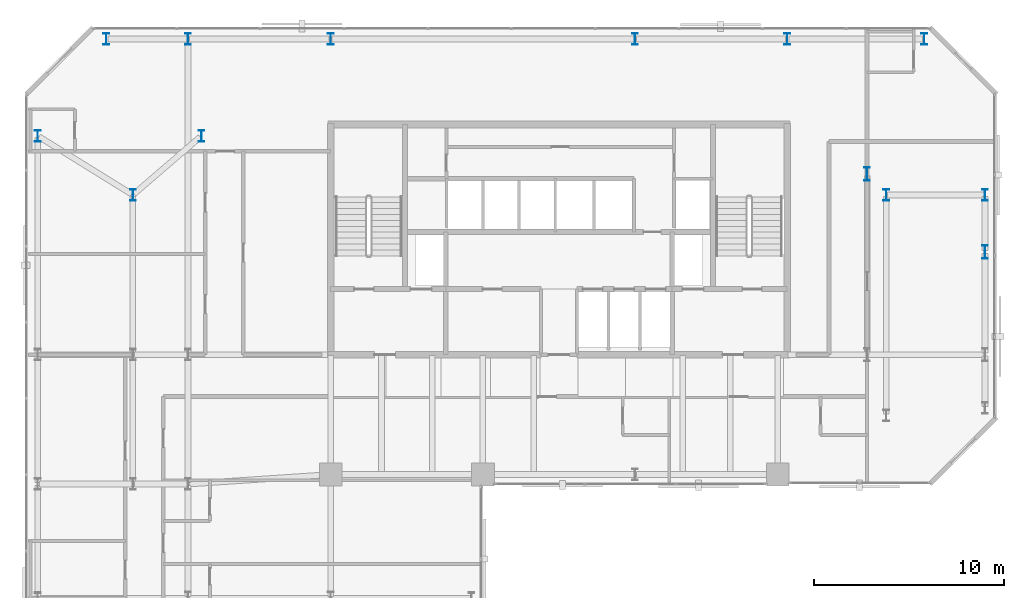
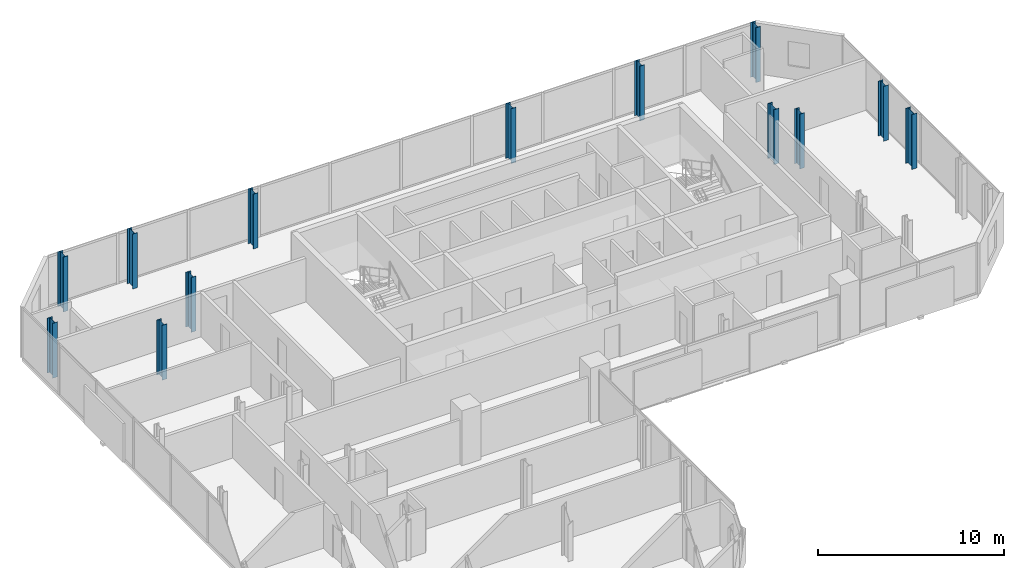
# One storey, part 2 of 32: 13 columns.
"""IFC4 building model written with IfcOpenShell, lengths in metres."""

from ifc_helpers import new_model, si_unit, direction, frame, origin, origin_2d, place, context, subcontext, project, spatial, i_section, extrude, material, material_profile, profile_set, type_object, element, save


model = new_model("IFC4")

# Units and contexts
model_context = context("Model", 3, precision=1e-05, world=origin(), true_north=direction((0.0, 1.0)))
body_context = subcontext(model_context, "Body", "Model", "MODEL_VIEW")
ifc_project = project(units=[si_unit("LENGTHUNIT", "METRE"), si_unit("AREAUNIT", "SQUARE_METRE"), si_unit("VOLUMEUNIT", "CUBIC_METRE"), si_unit("PLANEANGLEUNIT", "RADIAN"), si_unit("MASSUNIT", "GRAM", prefix="KILO")], contexts=[model_context])

# Site, building, storey
site_placement = place(None, origin())
site = spatial("IfcSite", under=ifc_project, at=site_placement, CompositionType="ELEMENT")
building_placement = place(site_placement, origin())
building = spatial("IfcBuilding", under=site, at=building_placement, Name="Catumbela Crestline Tower", CompositionType="ELEMENT")
storey_placement = place(building_placement, frame((0.0, 0.0, 126.0)))
storey = spatial("IfcBuildingStorey", under=building, at=storey_placement, Name="L32", CompositionType="ELEMENT", Elevation=126.0)

# Columns
ifc_material = material(Name="Structural steel S460M", Category="steel")
ifc_material_profile_1 = material_profile(ifc_material, i_section(OverallWidth=0.3, OverallDepth=0.6, WebThickness=0.0155, FlangeThickness=0.03, FilletRadius=0.027, at=origin_2d()), Name="HEB 600")
ifc_profile_set_1 = profile_set([ifc_material_profile_1], Name="Structural steel S460M")
column_type_1 = type_object("IfcColumnType", Name="C-ST-HEB600", PredefinedType="COLUMN", material=ifc_profile_set_1)
for number, where, z_axis, x_axis, name in (
    (1, (5.6, 39.2, 0.0), (0.0, 0.0, 1.0), (1.0, 0.0, 0.0), "L32 Column C-05-43 (HEB 600)"),
    (2, (9.2, 42.3, 0.0), (0.0, 0.0, 1.0), (1.0, 0.0, 0.0), "L32 Column C-08-43 (HEB 600)"),
    (3, (45.2, 39.2, 0.0), (0.0, 0.0, 1.0), (1.0, 0.0, 0.0), "L32 Column C-46-43 (HEB 600)"),
    (4, (0.6, 42.3, 0.0), (0.0, 0.0, 1.0), (1.0, 0.0, 0.0), "L32 Column C-00-43 (HEB 600)"),
    (5, (4.2, 47.4, 0.0), (0.0, 0.0, 1.0), (1.0, 0.0, 0.0), "L32 Column C-00-48 (HEB 600)"),
    (6, (8.5, 47.4, 0.0), (0.0, 0.0, 1.0), (1.0, 0.0, 0.0), "L32 Column C-08-48 (HEB 600)"),
    (7, (16.0, 47.4, 0.0), (0.0, 0.0, 1.0), (1.0, 0.0, 0.0), "L32 Column C-16-48 (HEB 600)"),
    (8, (32.0, 47.4, 0.0), (0.0, 0.0, 1.0), (1.0, 0.0, 0.0), "L32 Column C-32-48 (HEB 600)"),
    (9, (40.0, 47.4, 0.0), (0.0, 0.0, 1.0), (1.0, 0.0, 0.0), "L32 Column C-40-48 (HEB 600)"),
    (10, (47.2, 47.4, 0.0), (0.0, 0.0, 1.0), (1.0, 0.0, 0.0), "L32 Column C-48-48 (HEB 600)"),
    (11, (50.4, 39.2, 0.0), (0.0, 0.0, 1.0), (1.0, 0.0, 0.0), "L32 Column C-51-43 (HEB 600)"),
):
    element("IfcColumn", number, at=place(storey_placement, frame(where, z_axis=z_axis, x_axis=x_axis)), inside=storey, type_object=column_type_1, Name=name, PredefinedType="COLUMN", context=body_context, shape_type="SweptSolid", body=[
        extrude(i_section(OverallWidth=0.3, OverallDepth=0.6, WebThickness=0.0155, FlangeThickness=0.03, FilletRadius=0.027, at=origin_2d()), origin(), (0.0, 0.0, 1.0), 3.6),
    ])
ifc_material_profile_2 = material_profile(ifc_material, i_section(OverallWidth=0.3, OverallDepth=0.7, WebThickness=0.017, FlangeThickness=0.032, FilletRadius=0.027, at=origin_2d()), Name="HEB 700")
ifc_profile_set_2 = profile_set([ifc_material_profile_2], Name="Structural steel S460M")
column_type_2 = type_object("IfcColumnType", Name="C-ST-HEB700", PredefinedType="COLUMN", material=ifc_profile_set_2)
for number, where, z_axis, x_axis, name in (
    (12, (44.2, 40.3, 0.0), (0.0, 0.0, 1.0), (1.0, 0.0, 0.0), "L32 Column CT-46-37 (HEB 700)"),
    (13, (50.4, 36.2, 0.0), (0.0, 0.0, 1.0), (1.0, 0.0, 0.0), "L32 Column CT-51-37 (HEB 700)"),
):
    element("IfcColumn", number, at=place(storey_placement, frame(where, z_axis=z_axis, x_axis=x_axis)), inside=storey, type_object=column_type_2, Name=name, PredefinedType="COLUMN", context=body_context, shape_type="SweptSolid", body=[
        extrude(i_section(OverallWidth=0.3, OverallDepth=0.7, WebThickness=0.017, FlangeThickness=0.032, FilletRadius=0.027, at=origin_2d()), origin(), (0.0, 0.0, 1.0), 3.6),
    ])

save(model, "model.ifc")
